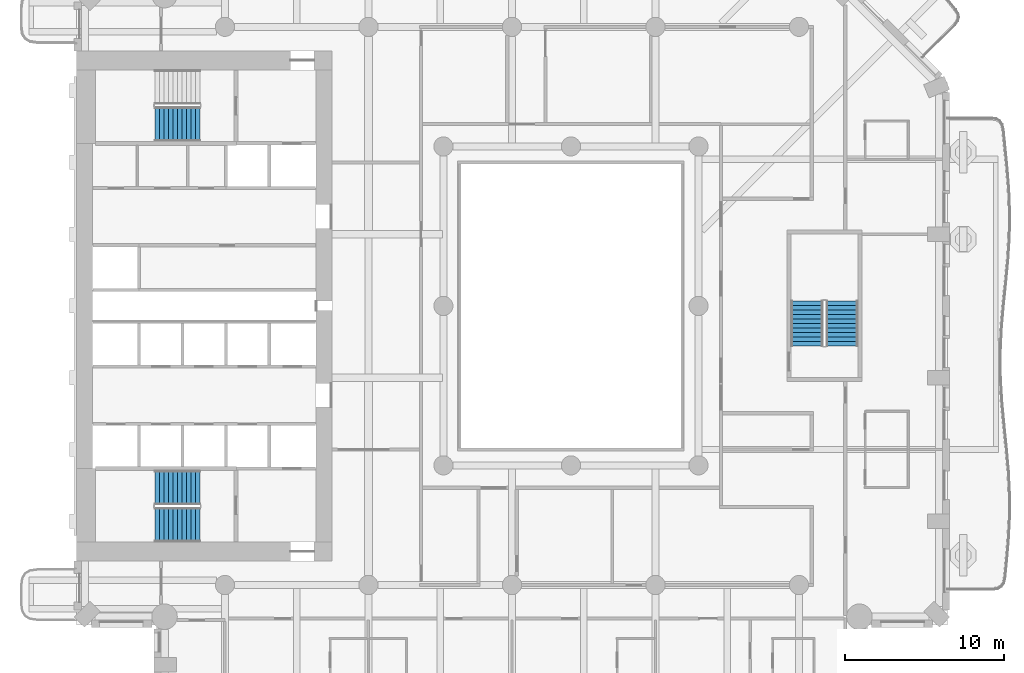
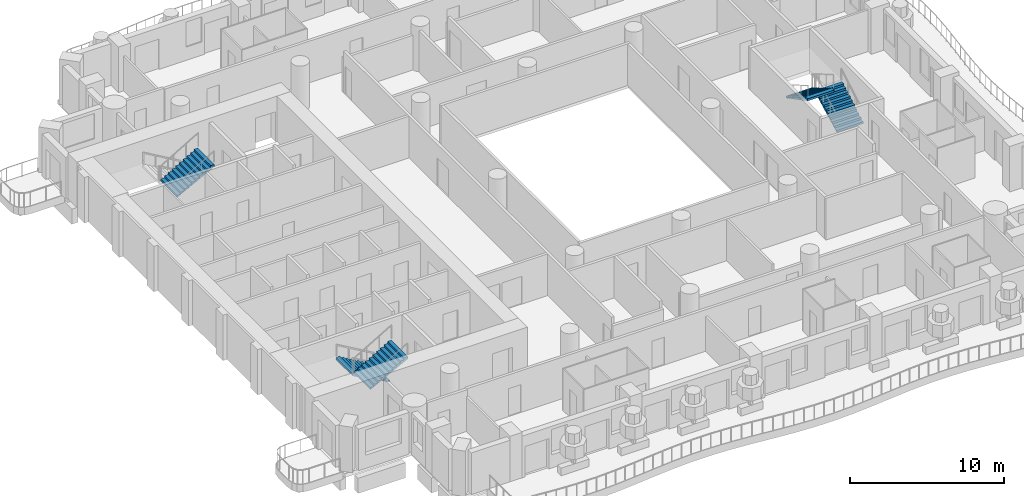
# One storey, part 10 of 19: 5 stair flights, 3 elements without a shape of their own.
"""IFC4 building model written with IfcOpenShell, lengths in metres."""

from ifc_helpers import new_model, si_unit, direction, frame, origin, place, context, subcontext, project, spatial, triangles, material, type_object, element, aggregate, save


model = new_model("IFC4")

# Units and contexts
model_context = context("Model", 3, precision=1e-05, world=origin(), true_north=direction((0.0, 1.0)))
body_context = subcontext(model_context, "Body", "Model", "MODEL_VIEW")
ifc_project = project(units=[si_unit("LENGTHUNIT", "METRE"), si_unit("AREAUNIT", "SQUARE_METRE"), si_unit("VOLUMEUNIT", "CUBIC_METRE"), si_unit("PLANEANGLEUNIT", "RADIAN"), si_unit("MASSUNIT", "GRAM", prefix="KILO")], contexts=[model_context])

# Site, building, storey
site_placement = place(None, origin())
site = spatial("IfcSite", under=ifc_project, at=site_placement, CompositionType="ELEMENT")
building_placement = place(site_placement, origin())
building = spatial("IfcBuilding", under=site, at=building_placement, Name="Cypress Arch Tower", CompositionType="ELEMENT")
storey_placement = place(building_placement, frame((0.0, 0.0, 69.89990234375)))
storey = spatial("IfcBuildingStorey", under=building, at=storey_placement, Name="L11", CompositionType="ELEMENT", Elevation=69.89990234375)

# Stair, stair flights
ifc_material_1 = material(Name="Concrete C40/50", Category="concrete")
stair_type_1 = type_object("IfcStairType", Name="Exit stair ES1636-200", PredefinedType="HALF_TURN_STAIR", material=ifc_material_1)
stair_1_placement = place(storey_placement, origin())
stair_1 = element("IfcStair", 1, at=stair_1_placement, inside=storey, type_object=stair_type_1, Name="L11 Exit stair C", PredefinedType="HALF_TURN_STAIR")
ifc_material_2 = material(Name="Concrete C40/50", Category="concrete")
stair_flight_type_1 = type_object("IfcStairFlightType", Name="Exit stair flight ES1636-200", PredefinedType="STRAIGHT", material=ifc_material_2)
stair_flight_1_placement = place(storey_placement, frame((18.0, -2.5, 0.0), z_axis=(0.0, 0.0, 1.0), x_axis=(0.0, 1.0, 0.0)))
stair_flight_1 = element("IfcStairFlight", 2, at=stair_flight_1_placement, type_object=stair_flight_type_1, Name="C flight 1", NumberOfRisers=11, NumberOfTreads=10, PredefinedType="STRAIGHT", RiserHeight=0.163636364, TreadLength=0.28, context=body_context, shape_type="Tessellation", body=[
    triangles([(0.0, -1.0, 0.0), (0.00048828125, -1.0, 0.054443359375), (0.00048828125, -1.0, 0.109130859375), (0.0, -1.0, 0.16357421875), (0.280029296875, -1.0, 0.16357421875), (0.280029296875, -1.0, 0.327392578125), (0.56005859375, -1.0, 0.327392578125), (0.56005859375, -1.0, 0.490966796875), (0.840087890625, -1.0, 0.490966796875), (0.840087890625, -1.0, 0.654541015625), (1.1201171875, -1.0, 0.654541015625), (1.1201171875, -1.0, 0.818115234375), (1.39990234375, -1.0, 0.818115234375), (1.39990234375, -1.0, 0.98193359375), (1.679931640625, -1.0, 0.98193359375), (1.679931640625, -1.0, 1.1455078125), (1.9599609375, -1.0, 1.1455078125), (1.9599609375, -1.0, 1.30908203125), (2.239990234375, -1.0, 1.30908203125), (2.239990234375, -1.0, 1.47265625), (2.52001953125, -1.0, 1.47265625), (2.52001953125, -1.0, 1.636474609375), (2.800048828125, -1.0, 1.636474609375), (2.799560546875, -1.0, 1.57861328125), (2.799560546875, -1.0, 1.5205078125), (2.800048828125, -1.0, 1.462646484375), (2.800048828125, 1.0, 1.462646484375), (2.799560546875, 1.0, 1.5205078125), (2.799560546875, 1.0, 1.57861328125), (2.800048828125, 1.0, 1.636474609375), (2.52001953125, 1.0, 1.636474609375), (2.52001953125, 1.0, 1.47265625), (2.239990234375, 1.0, 1.47265625), (2.239990234375, 1.0, 1.30908203125), (1.9599609375, 1.0, 1.30908203125), (1.9599609375, 1.0, 1.1455078125), (1.679931640625, 1.0, 1.1455078125), (1.679931640625, 1.0, 0.98193359375), (1.39990234375, 1.0, 0.98193359375), (1.39990234375, 1.0, 0.818115234375), (1.1201171875, 1.0, 0.818115234375), (1.1201171875, 1.0, 0.654541015625), (0.840087890625, 1.0, 0.654541015625), (0.840087890625, 1.0, 0.490966796875), (0.56005859375, 1.0, 0.490966796875), (0.56005859375, 1.0, 0.327392578125), (0.280029296875, 1.0, 0.327392578125), (0.280029296875, 1.0, 0.16357421875), (0.0, 1.0, 0.16357421875), (0.00048828125, 1.0, 0.109130859375), (0.00048828125, 1.0, 0.054443359375), (0.0, 1.0, 0.0), (2.799560546875, 0.0, 1.5205078125), (2.800048828125, 0.0, 1.462646484375), (2.799560546875, 0.0, 1.57861328125), (2.800048828125, 0.0, 1.636474609375), (2.52001953125, 0.0, 1.636474609375), (2.52001953125, 0.0, 1.47265625), (2.239990234375, 0.0, 1.47265625), (2.239990234375, 0.0, 1.30908203125), (1.9599609375, 0.0, 1.30908203125), (1.9599609375, 0.0, 1.1455078125), (1.679931640625, 0.0, 1.1455078125), (1.679931640625, 0.0, 0.98193359375), (1.39990234375, 0.0, 0.98193359375), (1.39990234375, 0.0, 0.818115234375), (1.1201171875, 0.0, 0.818115234375), (1.1201171875, 0.0, 0.654541015625), (0.840087890625, 0.0, 0.654541015625), (0.840087890625, 0.0, 0.490966796875), (0.56005859375, 0.0, 0.490966796875), (0.56005859375, 0.0, 0.327392578125), (0.280029296875, 0.0, 0.327392578125), (0.280029296875, 0.0, 0.16357421875), (0.0, 0.0, 0.16357421875), (0.00048828125, 0.0, 0.109130859375), (0.00048828125, 0.0, 0.054443359375), (0.0, 0.0, 0.0)], [[26, 25, 22], [25, 24, 22], [24, 23, 22], [15, 14, 13], [7, 6, 5], [13, 12, 11], [21, 20, 19], [19, 18, 17], [17, 16, 15], [11, 10, 9], [9, 8, 7], [4, 3, 5], [3, 2, 5], [2, 1, 5], [26, 22, 21], [26, 21, 19], [26, 19, 17], [26, 17, 15], [26, 15, 13], [26, 13, 11], [26, 11, 9], [26, 9, 7], [26, 7, 5], [26, 5, 1], [27, 31, 28], [28, 31, 29], [29, 31, 30], [38, 40, 39], [46, 48, 47], [40, 42, 41], [32, 34, 33], [34, 36, 35], [36, 38, 37], [42, 44, 43], [44, 46, 45], [49, 48, 50], [50, 48, 51], [51, 48, 52], [27, 32, 31], [27, 34, 32], [27, 36, 34], [27, 38, 36], [27, 40, 38], [27, 42, 40], [27, 44, 42], [27, 46, 44], [27, 48, 46], [27, 52, 48], [54, 53, 25], [54, 25, 26], [27, 28, 53], [27, 53, 54], [53, 55, 24], [53, 24, 25], [28, 29, 55], [28, 55, 53], [55, 56, 23], [55, 23, 24], [29, 30, 56], [29, 56, 55], [56, 57, 22], [56, 22, 23], [30, 31, 57], [30, 57, 56], [57, 58, 21], [57, 21, 22], [31, 32, 58], [31, 58, 57], [58, 59, 20], [58, 20, 21], [32, 33, 59], [32, 59, 58], [59, 60, 19], [59, 19, 20], [33, 34, 60], [33, 60, 59], [60, 61, 18], [60, 18, 19], [34, 35, 61], [34, 61, 60], [61, 62, 17], [61, 17, 18], [35, 36, 62], [35, 62, 61], [62, 63, 16], [62, 16, 17], [36, 37, 63], [36, 63, 62], [63, 64, 15], [63, 15, 16], [37, 38, 64], [37, 64, 63], [64, 65, 14], [64, 14, 15], [38, 39, 65], [38, 65, 64], [65, 66, 13], [65, 13, 14], [39, 40, 66], [39, 66, 65], [66, 67, 12], [66, 12, 13], [40, 41, 67], [40, 67, 66], [67, 68, 11], [67, 11, 12], [41, 42, 68], [41, 68, 67], [68, 69, 10], [68, 10, 11], [42, 43, 69], [42, 69, 68], [69, 70, 9], [69, 9, 10], [43, 44, 70], [43, 70, 69], [70, 71, 8], [70, 8, 9], [44, 45, 71], [44, 71, 70], [71, 72, 7], [71, 7, 8], [45, 46, 72], [45, 72, 71], [72, 73, 6], [72, 6, 7], [46, 47, 73], [46, 73, 72], [73, 74, 5], [73, 5, 6], [47, 48, 74], [47, 74, 73], [74, 75, 4], [74, 4, 5], [48, 49, 75], [48, 75, 74], [75, 76, 3], [75, 3, 4], [49, 50, 76], [49, 76, 75], [76, 77, 2], [76, 2, 3], [50, 51, 77], [50, 77, 76], [77, 78, 1], [77, 1, 2], [51, 52, 78], [51, 78, 77], [78, 54, 26], [78, 26, 1], [52, 27, 54], [52, 54, 78]], closed=True),
])
stair_flight_2_placement = place(storey_placement, frame((15.800048828125, 0.300048828125, 1.800048828125), z_axis=(0.0, 0.0, 1.0), x_axis=(0.0, -1.0, 0.0)))
stair_flight_2 = element("IfcStairFlight", 3, at=stair_flight_2_placement, type_object=stair_flight_type_1, Name="C flight 2", NumberOfRisers=11, NumberOfTreads=10, PredefinedType="STRAIGHT", RiserHeight=0.163636364, TreadLength=0.28, context=body_context, shape_type="Tessellation", body=[
    triangles([(0.0, -1.0, 0.0), (0.00048828125, -1.0, 0.054443359375), (0.00048828125, -1.0, 0.109130859375), (0.0, -1.0, 0.16357421875), (0.280029296875, -1.0, 0.16357421875), (0.280029296875, -1.0, 0.327392578125), (0.56005859375, -1.0, 0.327392578125), (0.56005859375, -1.0, 0.490966796875), (0.840087890625, -1.0, 0.490966796875), (0.840087890625, -1.0, 0.654541015625), (1.1201171875, -1.0, 0.654541015625), (1.1201171875, -1.0, 0.818115234375), (1.39990234375, -1.0, 0.818115234375), (1.39990234375, -1.0, 0.98193359375), (1.679931640625, -1.0, 0.98193359375), (1.679931640625, -1.0, 1.1455078125), (1.9599609375, -1.0, 1.1455078125), (1.9599609375, -1.0, 1.30908203125), (2.239990234375, -1.0, 1.30908203125), (2.239990234375, -1.0, 1.47265625), (2.52001953125, -1.0, 1.47265625), (2.52001953125, -1.0, 1.636474609375), (2.800048828125, -1.0, 1.636474609375), (2.799560546875, -1.0, 1.57861328125), (2.799560546875, -1.0, 1.5205078125), (2.800048828125, -1.0, 1.462646484375), (2.800048828125, 1.0, 1.462646484375), (2.799560546875, 1.0, 1.5205078125), (2.799560546875, 1.0, 1.57861328125), (2.800048828125, 1.0, 1.636474609375), (2.52001953125, 1.0, 1.636474609375), (2.52001953125, 1.0, 1.47265625), (2.239990234375, 1.0, 1.47265625), (2.239990234375, 1.0, 1.30908203125), (1.9599609375, 1.0, 1.30908203125), (1.9599609375, 1.0, 1.1455078125), (1.679931640625, 1.0, 1.1455078125), (1.679931640625, 1.0, 0.98193359375), (1.39990234375, 1.0, 0.98193359375), (1.39990234375, 1.0, 0.818115234375), (1.1201171875, 1.0, 0.818115234375), (1.1201171875, 1.0, 0.654541015625), (0.840087890625, 1.0, 0.654541015625), (0.840087890625, 1.0, 0.490966796875), (0.56005859375, 1.0, 0.490966796875), (0.56005859375, 1.0, 0.327392578125), (0.280029296875, 1.0, 0.327392578125), (0.280029296875, 1.0, 0.16357421875), (0.0, 1.0, 0.16357421875), (0.00048828125, 1.0, 0.109130859375), (0.00048828125, 1.0, 0.054443359375), (0.0, 1.0, 0.0), (2.799560546875, 0.0, 1.5205078125), (2.800048828125, 0.0, 1.462646484375), (2.799560546875, 0.0, 1.57861328125), (2.800048828125, 0.0, 1.636474609375), (2.52001953125, 0.0, 1.636474609375), (2.52001953125, 0.0, 1.47265625), (2.239990234375, 0.0, 1.47265625), (2.239990234375, 0.0, 1.30908203125), (1.9599609375, 0.0, 1.30908203125), (1.9599609375, 0.0, 1.1455078125), (1.679931640625, 0.0, 1.1455078125), (1.679931640625, 0.0, 0.98193359375), (1.39990234375, 0.0, 0.98193359375), (1.39990234375, 0.0, 0.818115234375), (1.1201171875, 0.0, 0.818115234375), (1.1201171875, 0.0, 0.654541015625), (0.840087890625, 0.0, 0.654541015625), (0.840087890625, 0.0, 0.490966796875), (0.56005859375, 0.0, 0.490966796875), (0.56005859375, 0.0, 0.327392578125), (0.280029296875, 0.0, 0.327392578125), (0.280029296875, 0.0, 0.16357421875), (0.0, 0.0, 0.16357421875), (0.00048828125, 0.0, 0.109130859375), (0.00048828125, 0.0, 0.054443359375), (0.0, 0.0, 0.0)], [[26, 25, 22], [25, 24, 22], [24, 23, 22], [15, 14, 13], [7, 6, 5], [13, 12, 11], [21, 20, 19], [19, 18, 17], [17, 16, 15], [11, 10, 9], [9, 8, 7], [4, 3, 5], [3, 2, 5], [2, 1, 5], [26, 22, 21], [26, 21, 19], [26, 19, 17], [26, 17, 15], [26, 15, 13], [26, 13, 11], [26, 11, 9], [26, 9, 7], [26, 7, 5], [26, 5, 1], [27, 31, 28], [28, 31, 29], [29, 31, 30], [38, 40, 39], [46, 48, 47], [40, 42, 41], [32, 34, 33], [34, 36, 35], [36, 38, 37], [42, 44, 43], [44, 46, 45], [49, 48, 50], [50, 48, 51], [51, 48, 52], [27, 32, 31], [27, 34, 32], [27, 36, 34], [27, 38, 36], [27, 40, 38], [27, 42, 40], [27, 44, 42], [27, 46, 44], [27, 48, 46], [27, 52, 48], [54, 53, 25], [54, 25, 26], [27, 28, 53], [27, 53, 54], [53, 55, 24], [53, 24, 25], [28, 29, 55], [28, 55, 53], [55, 56, 23], [55, 23, 24], [29, 30, 56], [29, 56, 55], [56, 57, 22], [56, 22, 23], [30, 31, 57], [30, 57, 56], [57, 58, 21], [57, 21, 22], [31, 32, 58], [31, 58, 57], [58, 59, 20], [58, 20, 21], [32, 33, 59], [32, 59, 58], [59, 60, 19], [59, 19, 20], [33, 34, 60], [33, 60, 59], [60, 61, 18], [60, 18, 19], [34, 35, 61], [34, 61, 60], [61, 62, 17], [61, 17, 18], [35, 36, 62], [35, 62, 61], [62, 63, 16], [62, 16, 17], [36, 37, 63], [36, 63, 62], [63, 64, 15], [63, 15, 16], [37, 38, 64], [37, 64, 63], [64, 65, 14], [64, 14, 15], [38, 39, 65], [38, 65, 64], [65, 66, 13], [65, 13, 14], [39, 40, 66], [39, 66, 65], [66, 67, 12], [66, 12, 13], [40, 41, 67], [40, 67, 66], [67, 68, 11], [67, 11, 12], [41, 42, 68], [41, 68, 67], [68, 69, 10], [68, 10, 11], [42, 43, 69], [42, 69, 68], [69, 70, 9], [69, 9, 10], [43, 44, 70], [43, 70, 69], [70, 71, 8], [70, 8, 9], [44, 45, 71], [44, 71, 70], [71, 72, 7], [71, 7, 8], [45, 46, 72], [45, 72, 71], [72, 73, 6], [72, 6, 7], [46, 47, 73], [46, 73, 72], [73, 74, 5], [73, 5, 6], [47, 48, 74], [47, 74, 73], [74, 75, 4], [74, 4, 5], [48, 49, 75], [48, 75, 74], [75, 76, 3], [75, 3, 4], [49, 50, 76], [49, 76, 75], [76, 77, 2], [76, 2, 3], [50, 51, 77], [50, 77, 76], [77, 78, 1], [77, 1, 2], [51, 52, 78], [51, 78, 77], [78, 54, 26], [78, 26, 1], [52, 27, 54], [52, 54, 78]], closed=True),
])
aggregate(stair_1, [stair_flight_1, stair_flight_2])

ifc_material_3 = material(Name="Concrete C40/50", Category="concrete")
stair_type_2 = type_object("IfcStairType", Name="Exit stair ES1636-215", PredefinedType="HALF_TURN_STAIR", material=ifc_material_3)
stair_2_placement = place(storey_placement, origin())
stair_2 = element("IfcStair", 4, at=stair_2_placement, inside=storey, type_object=stair_type_2, Name="L11 Exit stair A", PredefinedType="HALF_TURN_STAIR")
ifc_material_4 = material(Name="Concrete C40/50", Category="concrete")
stair_flight_type_2 = type_object("IfcStairFlightType", Name="Exit stair flight ES1636-215", PredefinedType="STRAIGHT", material=ifc_material_4)
stair_flight_3_placement = place(storey_placement, frame((-22.27490234375, -11.39990234375, 0.0), z_axis=(0.0, 0.0, 1.0), x_axis=(-1.0, 0.0, 0.0)))
stair_flight_3 = element("IfcStairFlight", 5, at=stair_flight_3_placement, type_object=stair_flight_type_2, Name="A flight 1", NumberOfRisers=11, NumberOfTreads=10, PredefinedType="STRAIGHT", RiserHeight=0.163636364, TreadLength=0.28, context=body_context, shape_type="Tessellation", body=[
    triangles([(0.0, -1.074951171875, 0.0), (0.000244140625, -1.074951171875, 0.03271484375), (0.00048828125, -1.074951171875, 0.0654296875), (0.00048828125, -1.074951171875, 0.09814453125), (0.000244140625, -1.074951171875, 0.130859375), (0.0, -1.074951171875, 0.16357421875), (0.280029296875, -1.074951171875, 0.16357421875), (0.280029296875, -1.074951171875, 0.327392578125), (0.56005859375, -1.074951171875, 0.327392578125), (0.56005859375, -1.074951171875, 0.490966796875), (0.840087890625, -1.074951171875, 0.490966796875), (0.840087890625, -1.074951171875, 0.654541015625), (1.1201171875, -1.074951171875, 0.654541015625), (1.1201171875, -1.074951171875, 0.818115234375), (1.39990234375, -1.074951171875, 0.818115234375), (1.39990234375, -1.074951171875, 0.98193359375), (1.679931640625, -1.074951171875, 0.98193359375), (1.679931640625, -1.074951171875, 1.1455078125), (1.9599609375, -1.074951171875, 1.1455078125), (1.9599609375, -1.074951171875, 1.30908203125), (2.239990234375, -1.074951171875, 1.30908203125), (2.239990234375, -1.074951171875, 1.47265625), (2.52001953125, -1.074951171875, 1.47265625), (2.52001953125, -1.074951171875, 1.636474609375), (2.800048828125, -1.074951171875, 1.636474609375), (2.7998046875, -1.074951171875, 1.601806640625), (2.799560546875, -1.074951171875, 1.56689453125), (2.799560546875, -1.074951171875, 1.5322265625), (2.7998046875, -1.074951171875, 1.497314453125), (2.800048828125, -1.074951171875, 1.462646484375), (2.800048828125, 1.074951171875, 1.462646484375), (2.7998046875, 1.074951171875, 1.497314453125), (2.799560546875, 1.074951171875, 1.5322265625), (2.799560546875, 1.074951171875, 1.56689453125), (2.7998046875, 1.074951171875, 1.601806640625), (2.800048828125, 1.074951171875, 1.636474609375), (2.52001953125, 1.074951171875, 1.636474609375), (2.52001953125, 1.074951171875, 1.47265625), (2.239990234375, 1.074951171875, 1.47265625), (2.239990234375, 1.074951171875, 1.30908203125), (1.9599609375, 1.074951171875, 1.30908203125), (1.9599609375, 1.074951171875, 1.1455078125), (1.679931640625, 1.074951171875, 1.1455078125), (1.679931640625, 1.074951171875, 0.98193359375), (1.39990234375, 1.074951171875, 0.98193359375), (1.39990234375, 1.074951171875, 0.818115234375), (1.1201171875, 1.074951171875, 0.818115234375), (1.1201171875, 1.074951171875, 0.654541015625), (0.840087890625, 1.074951171875, 0.654541015625), (0.840087890625, 1.074951171875, 0.490966796875), (0.56005859375, 1.074951171875, 0.490966796875), (0.56005859375, 1.074951171875, 0.327392578125), (0.280029296875, 1.074951171875, 0.327392578125), (0.280029296875, 1.074951171875, 0.16357421875), (0.0, 1.074951171875, 0.16357421875), (0.000244140625, 1.074951171875, 0.130859375), (0.00048828125, 1.074951171875, 0.09814453125), (0.00048828125, 1.074951171875, 0.0654296875), (0.000244140625, 1.074951171875, 0.03271484375), (0.0, 1.074951171875, 0.0), (2.7998046875, 0.0, 1.497314453125), (2.800048828125, 0.0, 1.462646484375), (2.799560546875, 0.0, 1.5322265625), (2.799560546875, 0.0, 1.56689453125), (2.7998046875, 0.0, 1.601806640625), (2.800048828125, 0.0, 1.636474609375), (2.52001953125, 0.0, 1.636474609375), (2.52001953125, 0.0, 1.47265625), (2.239990234375, 0.0, 1.47265625), (2.239990234375, 0.0, 1.30908203125), (1.9599609375, 0.0, 1.30908203125), (1.9599609375, 0.0, 1.1455078125), (1.679931640625, 0.0, 1.1455078125), (1.679931640625, 0.0, 0.98193359375), (1.39990234375, 0.0, 0.98193359375), (1.39990234375, 0.0, 0.818115234375), (1.1201171875, 0.0, 0.818115234375), (1.1201171875, 0.0, 0.654541015625), (0.840087890625, 0.0, 0.654541015625), (0.840087890625, 0.0, 0.490966796875), (0.56005859375, 0.0, 0.490966796875), (0.56005859375, 0.0, 0.327392578125), (0.280029296875, 0.0, 0.327392578125), (0.280029296875, 0.0, 0.16357421875), (0.0, 0.0, 0.16357421875), (0.000244140625, 0.0, 0.130859375), (0.00048828125, 0.0, 0.09814453125), (0.00048828125, 0.0, 0.0654296875), (0.000244140625, 0.0, 0.03271484375), (0.0, 0.0, 0.0)], [[30, 29, 24], [29, 28, 24], [28, 27, 24], [27, 26, 24], [26, 25, 24], [17, 16, 15], [9, 8, 7], [15, 14, 13], [23, 22, 21], [21, 20, 19], [19, 18, 17], [13, 12, 11], [11, 10, 9], [6, 5, 7], [5, 4, 7], [4, 3, 7], [3, 2, 7], [2, 1, 7], [30, 24, 23], [30, 23, 21], [30, 21, 19], [30, 19, 17], [30, 17, 15], [30, 15, 13], [30, 13, 11], [30, 11, 9], [30, 9, 7], [30, 7, 1], [31, 37, 32], [32, 37, 33], [33, 37, 34], [34, 37, 35], [35, 37, 36], [44, 46, 45], [52, 54, 53], [46, 48, 47], [38, 40, 39], [40, 42, 41], [42, 44, 43], [48, 50, 49], [50, 52, 51], [55, 54, 56], [56, 54, 57], [57, 54, 58], [58, 54, 59], [59, 54, 60], [31, 38, 37], [31, 40, 38], [31, 42, 40], [31, 44, 42], [31, 46, 44], [31, 48, 46], [31, 50, 48], [31, 52, 50], [31, 54, 52], [31, 60, 54], [62, 61, 29], [62, 29, 30], [31, 32, 61], [31, 61, 62], [61, 63, 28], [61, 28, 29], [32, 33, 63], [32, 63, 61], [63, 64, 27], [63, 27, 28], [33, 34, 64], [33, 64, 63], [64, 65, 26], [64, 26, 27], [34, 35, 65], [34, 65, 64], [65, 66, 25], [65, 25, 26], [35, 36, 66], [35, 66, 65], [66, 67, 24], [66, 24, 25], [36, 37, 67], [36, 67, 66], [67, 68, 23], [67, 23, 24], [37, 38, 68], [37, 68, 67], [68, 69, 22], [68, 22, 23], [38, 39, 69], [38, 69, 68], [69, 70, 21], [69, 21, 22], [39, 40, 70], [39, 70, 69], [70, 71, 20], [70, 20, 21], [40, 41, 71], [40, 71, 70], [71, 72, 19], [71, 19, 20], [41, 42, 72], [41, 72, 71], [72, 73, 18], [72, 18, 19], [42, 43, 73], [42, 73, 72], [73, 74, 17], [73, 17, 18], [43, 44, 74], [43, 74, 73], [74, 75, 16], [74, 16, 17], [44, 45, 75], [44, 75, 74], [75, 76, 15], [75, 15, 16], [45, 46, 76], [45, 76, 75], [76, 77, 14], [76, 14, 15], [46, 47, 77], [46, 77, 76], [77, 78, 13], [77, 13, 14], [47, 48, 78], [47, 78, 77], [78, 79, 12], [78, 12, 13], [48, 49, 79], [48, 79, 78], [79, 80, 11], [79, 11, 12], [49, 50, 80], [49, 80, 79], [80, 81, 10], [80, 10, 11], [50, 51, 81], [50, 81, 80], [81, 82, 9], [81, 9, 10], [51, 52, 82], [51, 82, 81], [82, 83, 8], [82, 8, 9], [52, 53, 83], [52, 83, 82], [83, 84, 7], [83, 7, 8], [53, 54, 84], [53, 84, 83], [84, 85, 6], [84, 6, 7], [54, 55, 85], [54, 85, 84], [85, 86, 5], [85, 5, 6], [55, 56, 86], [55, 86, 85], [86, 87, 4], [86, 4, 5], [56, 57, 87], [56, 87, 86], [87, 88, 3], [87, 3, 4], [57, 58, 88], [57, 88, 87], [88, 89, 2], [88, 2, 3], [58, 59, 89], [58, 89, 88], [89, 90, 1], [89, 1, 2], [59, 60, 90], [59, 90, 89], [90, 62, 30], [90, 30, 1], [60, 31, 62], [60, 62, 90]], closed=True),
])
stair_flight_4_placement = place(storey_placement, frame((-25.074951171875, -13.72509765625, 1.800048828125), z_axis=(0.0, 0.0, 1.0), x_axis=(1.0, 0.0, 0.0)))
stair_flight_4 = element("IfcStairFlight", 6, at=stair_flight_4_placement, type_object=stair_flight_type_2, Name="A flight 2", NumberOfRisers=11, NumberOfTreads=10, PredefinedType="STRAIGHT", RiserHeight=0.163636364, TreadLength=0.28, context=body_context, shape_type="Tessellation", body=[
    triangles([(0.0, -1.074951171875, 0.0), (0.000244140625, -1.074951171875, 0.03271484375), (0.00048828125, -1.074951171875, 0.0654296875), (0.00048828125, -1.074951171875, 0.09814453125), (0.000244140625, -1.074951171875, 0.130859375), (0.0, -1.074951171875, 0.16357421875), (0.280029296875, -1.074951171875, 0.16357421875), (0.280029296875, -1.074951171875, 0.327392578125), (0.56005859375, -1.074951171875, 0.327392578125), (0.56005859375, -1.074951171875, 0.490966796875), (0.840087890625, -1.074951171875, 0.490966796875), (0.840087890625, -1.074951171875, 0.654541015625), (1.1201171875, -1.074951171875, 0.654541015625), (1.1201171875, -1.074951171875, 0.818115234375), (1.39990234375, -1.074951171875, 0.818115234375), (1.39990234375, -1.074951171875, 0.98193359375), (1.679931640625, -1.074951171875, 0.98193359375), (1.679931640625, -1.074951171875, 1.1455078125), (1.9599609375, -1.074951171875, 1.1455078125), (1.9599609375, -1.074951171875, 1.30908203125), (2.239990234375, -1.074951171875, 1.30908203125), (2.239990234375, -1.074951171875, 1.47265625), (2.52001953125, -1.074951171875, 1.47265625), (2.52001953125, -1.074951171875, 1.636474609375), (2.800048828125, -1.074951171875, 1.636474609375), (2.7998046875, -1.074951171875, 1.601806640625), (2.799560546875, -1.074951171875, 1.56689453125), (2.799560546875, -1.074951171875, 1.5322265625), (2.7998046875, -1.074951171875, 1.497314453125), (2.800048828125, -1.074951171875, 1.462646484375), (2.800048828125, 1.074951171875, 1.462646484375), (2.7998046875, 1.074951171875, 1.497314453125), (2.799560546875, 1.074951171875, 1.5322265625), (2.799560546875, 1.074951171875, 1.56689453125), (2.7998046875, 1.074951171875, 1.601806640625), (2.800048828125, 1.074951171875, 1.636474609375), (2.52001953125, 1.074951171875, 1.636474609375), (2.52001953125, 1.074951171875, 1.47265625), (2.239990234375, 1.074951171875, 1.47265625), (2.239990234375, 1.074951171875, 1.30908203125), (1.9599609375, 1.074951171875, 1.30908203125), (1.9599609375, 1.074951171875, 1.1455078125), (1.679931640625, 1.074951171875, 1.1455078125), (1.679931640625, 1.074951171875, 0.98193359375), (1.39990234375, 1.074951171875, 0.98193359375), (1.39990234375, 1.074951171875, 0.818115234375), (1.1201171875, 1.074951171875, 0.818115234375), (1.1201171875, 1.074951171875, 0.654541015625), (0.840087890625, 1.074951171875, 0.654541015625), (0.840087890625, 1.074951171875, 0.490966796875), (0.56005859375, 1.074951171875, 0.490966796875), (0.56005859375, 1.074951171875, 0.327392578125), (0.280029296875, 1.074951171875, 0.327392578125), (0.280029296875, 1.074951171875, 0.16357421875), (0.0, 1.074951171875, 0.16357421875), (0.000244140625, 1.074951171875, 0.130859375), (0.00048828125, 1.074951171875, 0.09814453125), (0.00048828125, 1.074951171875, 0.0654296875), (0.000244140625, 1.074951171875, 0.03271484375), (0.0, 1.074951171875, 0.0), (2.7998046875, 0.0, 1.497314453125), (2.800048828125, 0.0, 1.462646484375), (2.799560546875, 0.0, 1.5322265625), (2.799560546875, 0.0, 1.56689453125), (2.7998046875, 0.0, 1.601806640625), (2.800048828125, 0.0, 1.636474609375), (2.52001953125, 0.0, 1.636474609375), (2.52001953125, 0.0, 1.47265625), (2.239990234375, 0.0, 1.47265625), (2.239990234375, 0.0, 1.30908203125), (1.9599609375, 0.0, 1.30908203125), (1.9599609375, 0.0, 1.1455078125), (1.679931640625, 0.0, 1.1455078125), (1.679931640625, 0.0, 0.98193359375), (1.39990234375, 0.0, 0.98193359375), (1.39990234375, 0.0, 0.818115234375), (1.1201171875, 0.0, 0.818115234375), (1.1201171875, 0.0, 0.654541015625), (0.840087890625, 0.0, 0.654541015625), (0.840087890625, 0.0, 0.490966796875), (0.56005859375, 0.0, 0.490966796875), (0.56005859375, 0.0, 0.327392578125), (0.280029296875, 0.0, 0.327392578125), (0.280029296875, 0.0, 0.16357421875), (0.0, 0.0, 0.16357421875), (0.000244140625, 0.0, 0.130859375), (0.00048828125, 0.0, 0.09814453125), (0.00048828125, 0.0, 0.0654296875), (0.000244140625, 0.0, 0.03271484375), (0.0, 0.0, 0.0)], [[30, 29, 24], [29, 28, 24], [28, 27, 24], [27, 26, 24], [26, 25, 24], [17, 16, 15], [9, 8, 7], [15, 14, 13], [23, 22, 21], [21, 20, 19], [19, 18, 17], [13, 12, 11], [11, 10, 9], [6, 5, 7], [5, 4, 7], [4, 3, 7], [3, 2, 7], [2, 1, 7], [30, 24, 23], [30, 23, 21], [30, 21, 19], [30, 19, 17], [30, 17, 15], [30, 15, 13], [30, 13, 11], [30, 11, 9], [30, 9, 7], [30, 7, 1], [31, 37, 32], [32, 37, 33], [33, 37, 34], [34, 37, 35], [35, 37, 36], [44, 46, 45], [52, 54, 53], [46, 48, 47], [38, 40, 39], [40, 42, 41], [42, 44, 43], [48, 50, 49], [50, 52, 51], [55, 54, 56], [56, 54, 57], [57, 54, 58], [58, 54, 59], [59, 54, 60], [31, 38, 37], [31, 40, 38], [31, 42, 40], [31, 44, 42], [31, 46, 44], [31, 48, 46], [31, 50, 48], [31, 52, 50], [31, 54, 52], [31, 60, 54], [62, 61, 29], [62, 29, 30], [31, 32, 61], [31, 61, 62], [61, 63, 28], [61, 28, 29], [32, 33, 63], [32, 63, 61], [63, 64, 27], [63, 27, 28], [33, 34, 64], [33, 64, 63], [64, 65, 26], [64, 26, 27], [34, 35, 65], [34, 65, 64], [65, 66, 25], [65, 25, 26], [35, 36, 66], [35, 66, 65], [66, 67, 24], [66, 24, 25], [36, 37, 67], [36, 67, 66], [67, 68, 23], [67, 23, 24], [37, 38, 68], [37, 68, 67], [68, 69, 22], [68, 22, 23], [38, 39, 69], [38, 69, 68], [69, 70, 21], [69, 21, 22], [39, 40, 70], [39, 70, 69], [70, 71, 20], [70, 20, 21], [40, 41, 71], [40, 71, 70], [71, 72, 19], [71, 19, 20], [41, 42, 72], [41, 72, 71], [72, 73, 18], [72, 18, 19], [42, 43, 73], [42, 73, 72], [73, 74, 17], [73, 17, 18], [43, 44, 74], [43, 74, 73], [74, 75, 16], [74, 16, 17], [44, 45, 75], [44, 75, 74], [75, 76, 15], [75, 15, 16], [45, 46, 76], [45, 76, 75], [76, 77, 14], [76, 14, 15], [46, 47, 77], [46, 77, 76], [77, 78, 13], [77, 13, 14], [47, 48, 78], [47, 78, 77], [78, 79, 12], [78, 12, 13], [48, 49, 79], [48, 79, 78], [79, 80, 11], [79, 11, 12], [49, 50, 80], [49, 80, 79], [80, 81, 10], [80, 10, 11], [50, 51, 81], [50, 81, 80], [81, 82, 9], [81, 9, 10], [51, 52, 82], [51, 82, 81], [82, 83, 8], [82, 8, 9], [52, 53, 83], [52, 83, 82], [83, 84, 7], [83, 7, 8], [53, 54, 84], [53, 84, 83], [84, 85, 6], [84, 6, 7], [54, 55, 85], [54, 85, 84], [85, 86, 5], [85, 5, 6], [55, 56, 86], [55, 86, 85], [86, 87, 4], [86, 4, 5], [56, 57, 87], [56, 87, 86], [87, 88, 3], [87, 3, 4], [57, 58, 88], [57, 88, 87], [88, 89, 2], [88, 2, 3], [58, 59, 89], [58, 89, 88], [89, 90, 1], [89, 1, 2], [59, 60, 90], [59, 90, 89], [90, 62, 30], [90, 30, 1], [60, 31, 62], [60, 62, 90]], closed=True),
])
aggregate(stair_2, [stair_flight_3, stair_flight_4])

# Stair, stair flight
stair_3_placement = place(storey_placement, origin())
stair_3 = element("IfcStair", 7, at=stair_3_placement, inside=storey, type_object=stair_type_2, Name="L11 Exit stair B", PredefinedType="HALF_TURN_STAIR")
stair_flight_5_placement = place(storey_placement, frame((-25.074951171875, 11.39990234375, 1.800048828125), z_axis=(0.0, 0.0, 1.0), x_axis=(1.0, 0.0, 0.0)))
stair_flight_5 = element("IfcStairFlight", 8, at=stair_flight_5_placement, type_object=stair_flight_type_2, Name="B flight 2", NumberOfRisers=11, NumberOfTreads=10, PredefinedType="STRAIGHT", RiserHeight=0.163636364, TreadLength=0.28, context=body_context, shape_type="Tessellation", body=[
    triangles([(0.0, -1.074951171875, 0.0), (0.000244140625, -1.074951171875, 0.03271484375), (0.00048828125, -1.074951171875, 0.0654296875), (0.00048828125, -1.074951171875, 0.09814453125), (0.000244140625, -1.074951171875, 0.130859375), (0.0, -1.074951171875, 0.16357421875), (0.280029296875, -1.074951171875, 0.16357421875), (0.280029296875, -1.074951171875, 0.327392578125), (0.56005859375, -1.074951171875, 0.327392578125), (0.56005859375, -1.074951171875, 0.490966796875), (0.840087890625, -1.074951171875, 0.490966796875), (0.840087890625, -1.074951171875, 0.654541015625), (1.1201171875, -1.074951171875, 0.654541015625), (1.1201171875, -1.074951171875, 0.818115234375), (1.39990234375, -1.074951171875, 0.818115234375), (1.39990234375, -1.074951171875, 0.98193359375), (1.679931640625, -1.074951171875, 0.98193359375), (1.679931640625, -1.074951171875, 1.1455078125), (1.9599609375, -1.074951171875, 1.1455078125), (1.9599609375, -1.074951171875, 1.30908203125), (2.239990234375, -1.074951171875, 1.30908203125), (2.239990234375, -1.074951171875, 1.47265625), (2.52001953125, -1.074951171875, 1.47265625), (2.52001953125, -1.074951171875, 1.636474609375), (2.800048828125, -1.074951171875, 1.636474609375), (2.7998046875, -1.074951171875, 1.601806640625), (2.799560546875, -1.074951171875, 1.56689453125), (2.799560546875, -1.074951171875, 1.5322265625), (2.7998046875, -1.074951171875, 1.497314453125), (2.800048828125, -1.074951171875, 1.462646484375), (2.800048828125, 1.074951171875, 1.462646484375), (2.7998046875, 1.074951171875, 1.497314453125), (2.799560546875, 1.074951171875, 1.5322265625), (2.799560546875, 1.074951171875, 1.56689453125), (2.7998046875, 1.074951171875, 1.601806640625), (2.800048828125, 1.074951171875, 1.636474609375), (2.52001953125, 1.074951171875, 1.636474609375), (2.52001953125, 1.074951171875, 1.47265625), (2.239990234375, 1.074951171875, 1.47265625), (2.239990234375, 1.074951171875, 1.30908203125), (1.9599609375, 1.074951171875, 1.30908203125), (1.9599609375, 1.074951171875, 1.1455078125), (1.679931640625, 1.074951171875, 1.1455078125), (1.679931640625, 1.074951171875, 0.98193359375), (1.39990234375, 1.074951171875, 0.98193359375), (1.39990234375, 1.074951171875, 0.818115234375), (1.1201171875, 1.074951171875, 0.818115234375), (1.1201171875, 1.074951171875, 0.654541015625), (0.840087890625, 1.074951171875, 0.654541015625), (0.840087890625, 1.074951171875, 0.490966796875), (0.56005859375, 1.074951171875, 0.490966796875), (0.56005859375, 1.074951171875, 0.327392578125), (0.280029296875, 1.074951171875, 0.327392578125), (0.280029296875, 1.074951171875, 0.16357421875), (0.0, 1.074951171875, 0.16357421875), (0.000244140625, 1.074951171875, 0.130859375), (0.00048828125, 1.074951171875, 0.09814453125), (0.00048828125, 1.074951171875, 0.0654296875), (0.000244140625, 1.074951171875, 0.03271484375), (0.0, 1.074951171875, 0.0), (2.7998046875, 0.0, 1.497314453125), (2.800048828125, 0.0, 1.462646484375), (2.799560546875, 0.0, 1.5322265625), (2.799560546875, 0.0, 1.56689453125), (2.7998046875, 0.0, 1.601806640625), (2.800048828125, 0.0, 1.636474609375), (2.52001953125, 0.0, 1.636474609375), (2.52001953125, 0.0, 1.47265625), (2.239990234375, 0.0, 1.47265625), (2.239990234375, 0.0, 1.30908203125), (1.9599609375, 0.0, 1.30908203125), (1.9599609375, 0.0, 1.1455078125), (1.679931640625, 0.0, 1.1455078125), (1.679931640625, 0.0, 0.98193359375), (1.39990234375, 0.0, 0.98193359375), (1.39990234375, 0.0, 0.818115234375), (1.1201171875, 0.0, 0.818115234375), (1.1201171875, 0.0, 0.654541015625), (0.840087890625, 0.0, 0.654541015625), (0.840087890625, 0.0, 0.490966796875), (0.56005859375, 0.0, 0.490966796875), (0.56005859375, 0.0, 0.327392578125), (0.280029296875, 0.0, 0.327392578125), (0.280029296875, 0.0, 0.16357421875), (0.0, 0.0, 0.16357421875), (0.000244140625, 0.0, 0.130859375), (0.00048828125, 0.0, 0.09814453125), (0.00048828125, 0.0, 0.0654296875), (0.000244140625, 0.0, 0.03271484375), (0.0, 0.0, 0.0)], [[30, 29, 24], [29, 28, 24], [28, 27, 24], [27, 26, 24], [26, 25, 24], [17, 16, 15], [9, 8, 7], [15, 14, 13], [23, 22, 21], [21, 20, 19], [19, 18, 17], [13, 12, 11], [11, 10, 9], [6, 5, 7], [5, 4, 7], [4, 3, 7], [3, 2, 7], [2, 1, 7], [30, 24, 23], [30, 23, 21], [30, 21, 19], [30, 19, 17], [30, 17, 15], [30, 15, 13], [30, 13, 11], [30, 11, 9], [30, 9, 7], [30, 7, 1], [31, 37, 32], [32, 37, 33], [33, 37, 34], [34, 37, 35], [35, 37, 36], [44, 46, 45], [52, 54, 53], [46, 48, 47], [38, 40, 39], [40, 42, 41], [42, 44, 43], [48, 50, 49], [50, 52, 51], [55, 54, 56], [56, 54, 57], [57, 54, 58], [58, 54, 59], [59, 54, 60], [31, 38, 37], [31, 40, 38], [31, 42, 40], [31, 44, 42], [31, 46, 44], [31, 48, 46], [31, 50, 48], [31, 52, 50], [31, 54, 52], [31, 60, 54], [62, 61, 29], [62, 29, 30], [31, 32, 61], [31, 61, 62], [61, 63, 28], [61, 28, 29], [32, 33, 63], [32, 63, 61], [63, 64, 27], [63, 27, 28], [33, 34, 64], [33, 64, 63], [64, 65, 26], [64, 26, 27], [34, 35, 65], [34, 65, 64], [65, 66, 25], [65, 25, 26], [35, 36, 66], [35, 66, 65], [66, 67, 24], [66, 24, 25], [36, 37, 67], [36, 67, 66], [67, 68, 23], [67, 23, 24], [37, 38, 68], [37, 68, 67], [68, 69, 22], [68, 22, 23], [38, 39, 69], [38, 69, 68], [69, 70, 21], [69, 21, 22], [39, 40, 70], [39, 70, 69], [70, 71, 20], [70, 20, 21], [40, 41, 71], [40, 71, 70], [71, 72, 19], [71, 19, 20], [41, 42, 72], [41, 72, 71], [72, 73, 18], [72, 18, 19], [42, 43, 73], [42, 73, 72], [73, 74, 17], [73, 17, 18], [43, 44, 74], [43, 74, 73], [74, 75, 16], [74, 16, 17], [44, 45, 75], [44, 75, 74], [75, 76, 15], [75, 15, 16], [45, 46, 76], [45, 76, 75], [76, 77, 14], [76, 14, 15], [46, 47, 77], [46, 77, 76], [77, 78, 13], [77, 13, 14], [47, 48, 78], [47, 78, 77], [78, 79, 12], [78, 12, 13], [48, 49, 79], [48, 79, 78], [79, 80, 11], [79, 11, 12], [49, 50, 80], [49, 80, 79], [80, 81, 10], [80, 10, 11], [50, 51, 81], [50, 81, 80], [81, 82, 9], [81, 9, 10], [51, 52, 82], [51, 82, 81], [82, 83, 8], [82, 8, 9], [52, 53, 83], [52, 83, 82], [83, 84, 7], [83, 7, 8], [53, 54, 84], [53, 84, 83], [84, 85, 6], [84, 6, 7], [54, 55, 85], [54, 85, 84], [85, 86, 5], [85, 5, 6], [55, 56, 86], [55, 86, 85], [86, 87, 4], [86, 4, 5], [56, 57, 87], [56, 87, 86], [87, 88, 3], [87, 3, 4], [57, 58, 88], [57, 88, 87], [88, 89, 2], [88, 2, 3], [58, 59, 89], [58, 89, 88], [89, 90, 1], [89, 1, 2], [59, 60, 90], [59, 90, 89], [90, 62, 30], [90, 30, 1], [60, 31, 62], [60, 62, 90]], closed=True),
])
aggregate(stair_3, [stair_flight_5])

save(model, "model.ifc")
